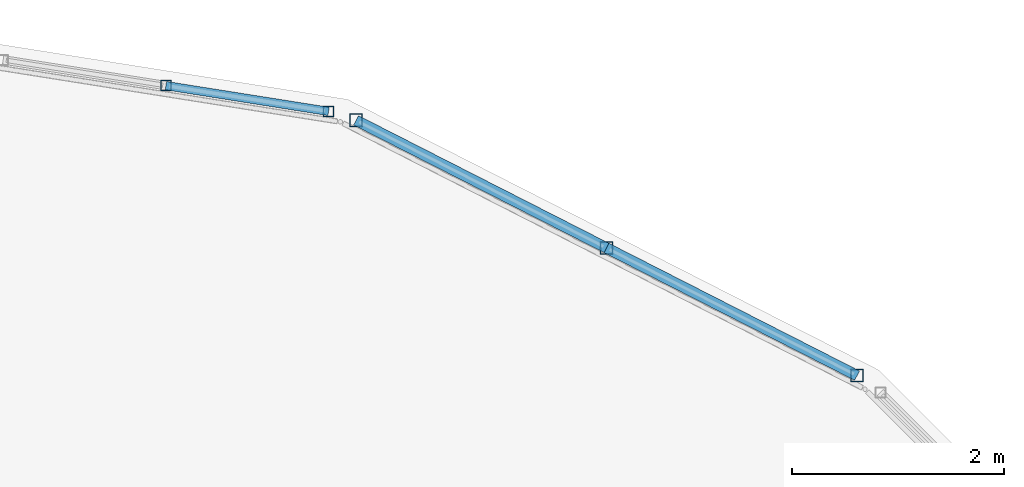
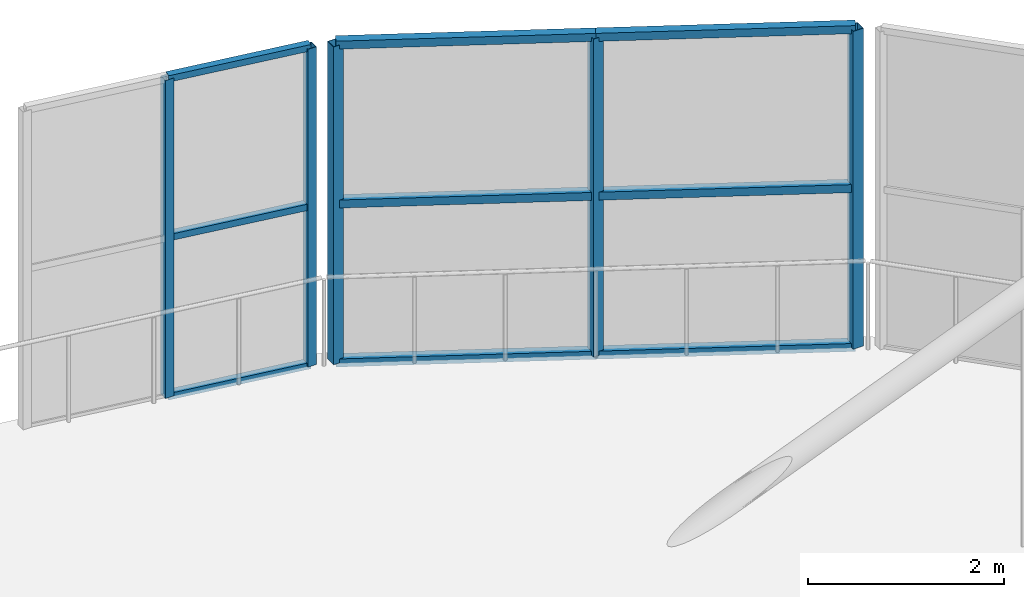
# One storey, part 109 of 151: 14 members, 2 elements without a shape of their own.
"""IFC4 building model written with IfcOpenShell, lengths in metres."""

from ifc_helpers import new_model, si_unit, direction, frame, origin, origin_2d, place, context, subcontext, project, spatial, hollow_rectangle, extrude, material, material_profile, profile_set, type_object, element, aggregate, save


model = new_model("IFC4")

# Units and contexts
model_context = context("Model", 3, precision=1e-05, world=origin(), true_north=direction((0.0, 1.0)))
body_context = subcontext(model_context, "Body", "Model", "MODEL_VIEW")
ifc_project = project(units=[si_unit("LENGTHUNIT", "METRE"), si_unit("AREAUNIT", "SQUARE_METRE"), si_unit("VOLUMEUNIT", "CUBIC_METRE"), si_unit("PLANEANGLEUNIT", "RADIAN"), si_unit("MASSUNIT", "GRAM", prefix="KILO")], contexts=[model_context])

# Site, building, storey
site_placement = place(None, origin())
site = spatial("IfcSite", under=ifc_project, at=site_placement, CompositionType="ELEMENT")
building_placement = place(site_placement, origin())
building = spatial("IfcBuilding", under=site, at=building_placement, Name="Zuvorla Pavilion Media Centre", CompositionType="ELEMENT")
storey_placement = place(building_placement, frame((0.0, 0.0, 13.800048828125)))
storey = spatial("IfcBuildingStorey", under=building, at=storey_placement, Name="L03", CompositionType="ELEMENT", Elevation=13.800048828125)

# Curtain wall, members
ifc_material_1 = material(Name="Unitised anodised aluminium and solar glass curtain wall", Category="aluminium")
curtain_wall_type_1 = type_object("IfcCurtainWallType", Name="CW-SYS-60", PredefinedType="USERDEFINED", material=ifc_material_1)
curtain_wall_1_placement = place(storey_placement, origin())
curtain_wall_1 = element("IfcCurtainWall", 1, at=curtain_wall_1_placement, inside=storey, type_object=curtain_wall_type_1, Name="L03 curtain wall CW60 105", ObjectType="CURTAIN WALL", PredefinedType="USERDEFINED")
ifc_material_2 = material(Name="Anodised aluminium 6063-T6", Category="aluminium")
ifc_material_profile_1 = material_profile(ifc_material_2, hollow_rectangle(XDim=0.10009765625, YDim=0.10009765625, WallThickness=0.00439453125, at=origin_2d()), Name="ALU MULL 100x100")
ifc_profile_set_1 = profile_set([ifc_material_profile_1], Name="Anodised aluminium 6063-T6")
member_type_1 = type_object("IfcMemberType", Name="CW-MULL-100", PredefinedType="MULLION", material=ifc_profile_set_1)
member_1_placement = place(storey_placement, frame((162.782470703125, 88.605712890625, 0.0), z_axis=(0.0, 0.0, 1.0), x_axis=(1.0, 0.0, 0.0)))
member_1 = element("IfcMember", 2, at=member_1_placement, type_object=member_type_1, Name="CW60 mullion 1", PredefinedType="MULLION", context=body_context, shape_type="SweptSolid", body=[
    extrude(hollow_rectangle(XDim=0.10009765625, YDim=0.10009765625, WallThickness=0.00439453125, at=origin_2d()), origin(), (0.0, 0.0, 1.0), 3.9599609375),
])
member_2_placement = place(storey_placement, frame((161.24560546875, 88.84912109375, 0.0), z_axis=(0.0, 0.0, 1.0), x_axis=(1.0, 0.0, 0.0)))
member_2 = element("IfcMember", 3, at=member_2_placement, type_object=member_type_1, Name="CW60 mullion 2", PredefinedType="MULLION", context=body_context, shape_type="SweptSolid", body=[
    extrude(hollow_rectangle(XDim=0.10009765625, YDim=0.10009765625, WallThickness=0.00439453125, at=origin_2d()), origin(), (0.0, 0.0, 1.0), 3.9599609375),
])

curtain_wall_type_2 = type_object("IfcCurtainWallType", Name="CW-SYS-02", PredefinedType="USERDEFINED", material=ifc_material_1)
curtain_wall_2_placement = place(storey_placement, origin())
curtain_wall_2 = element("IfcCurtainWall", 4, at=curtain_wall_2_placement, inside=storey, type_object=curtain_wall_type_2, Name="L03 curtain wall CW02 104", ObjectType="CURTAIN WALL", PredefinedType="USERDEFINED")
ifc_material_profile_2 = material_profile(ifc_material_2, hollow_rectangle(XDim=0.1201171875, YDim=0.1201171875, WallThickness=0.0048828125, at=origin_2d()), Name="ALU MULL 120x120")
ifc_profile_set_2 = profile_set([ifc_material_profile_2], Name="Anodised aluminium 6063-T6")
member_type_2 = type_object("IfcMemberType", Name="CW-MULL-120", PredefinedType="MULLION", material=ifc_profile_set_2)
member_3_placement = place(storey_placement, frame((167.77392578125, 86.110107421875, 0.0), z_axis=(0.0, 0.0, 1.0), x_axis=(1.0, 0.0, 0.0)))
member_3 = element("IfcMember", 5, at=member_3_placement, type_object=member_type_2, Name="CW02 mullion 1", PredefinedType="MULLION", context=body_context, shape_type="SweptSolid", body=[
    extrude(hollow_rectangle(XDim=0.1201171875, YDim=0.1201171875, WallThickness=0.0048828125, at=origin_2d()), origin(), (0.0, 0.0, 1.0), 3.9599609375),
])
member_4_placement = place(storey_placement, frame((165.40771484375, 87.31591796875, 0.0), z_axis=(0.0, 0.0, 1.0), x_axis=(1.0, 0.0, 0.0)))
member_4 = element("IfcMember", 6, at=member_4_placement, type_object=member_type_2, Name="CW02 mullion 2", PredefinedType="MULLION", context=body_context, shape_type="SweptSolid", body=[
    extrude(hollow_rectangle(XDim=0.1201171875, YDim=0.1201171875, WallThickness=0.0048828125, at=origin_2d()), origin(), (0.0, 0.0, 1.0), 3.9599609375),
])
member_5_placement = place(storey_placement, frame((163.041259765625, 88.521484375, 0.0), z_axis=(0.0, 0.0, 1.0), x_axis=(1.0, 0.0, 0.0)))
member_5 = element("IfcMember", 7, at=member_5_placement, type_object=member_type_2, Name="CW02 mullion 3", PredefinedType="MULLION", context=body_context, shape_type="SweptSolid", body=[
    extrude(hollow_rectangle(XDim=0.1201171875, YDim=0.1201171875, WallThickness=0.0048828125, at=origin_2d()), origin(), (0.0, 0.0, 1.0), 3.9599609375),
])
ifc_material_profile_3 = material_profile(ifc_material_2, hollow_rectangle(XDim=0.10009765625, YDim=0.10009765625, WallThickness=0.00439453125, at=origin_2d()), Name="ALU TRAN 100x100")
ifc_profile_set_3 = profile_set([ifc_material_profile_3], Name="Anodised aluminium 6063-T6")
member_type_3 = type_object("IfcMemberType", Name="CW-TRAN-100", PredefinedType="USERDEFINED", material=ifc_profile_set_3)
member_6_placement = place(storey_placement, frame((167.77392578125, 86.110107421875, 0.0), z_axis=(-0.890981260547, 0.454040079018, 0.0), x_axis=(-0.454040079018, -0.890981260547, 0.0)))
member_6 = element("IfcMember", 8, at=member_6_placement, type_object=member_type_3, Name="CW02 transom 1.1", ObjectType="TRANSOM", PredefinedType="USERDEFINED", context=body_context, shape_type="SweptSolid", body=[
    extrude(hollow_rectangle(XDim=0.10009765625, YDim=0.10009765625, WallThickness=0.00439453125, at=origin_2d()), origin(), (0.0, 0.0, 1.0), 2.65576171875),
])
member_7_placement = place(storey_placement, frame((167.77392578125, 86.110107421875, 1.97998046875), z_axis=(-0.890981260547, 0.454040079018, 0.0), x_axis=(-0.454040079018, -0.890981260547, 0.0)))
member_7 = element("IfcMember", 9, at=member_7_placement, type_object=member_type_3, Name="CW02 transom 1.2", ObjectType="TRANSOM", PredefinedType="USERDEFINED", context=body_context, shape_type="SweptSolid", body=[
    extrude(hollow_rectangle(XDim=0.10009765625, YDim=0.10009765625, WallThickness=0.00439453125, at=origin_2d()), origin(), (0.0, 0.0, 1.0), 2.65576171875),
])
member_8_placement = place(storey_placement, frame((167.77392578125, 86.110107421875, 3.9599609375), z_axis=(-0.890981260547, 0.454040079018, 0.0), x_axis=(-0.454040079018, -0.890981260547, 0.0)))
member_8 = element("IfcMember", 10, at=member_8_placement, type_object=member_type_3, Name="CW02 transom 1.3", ObjectType="TRANSOM", PredefinedType="USERDEFINED", context=body_context, shape_type="SweptSolid", body=[
    extrude(hollow_rectangle(XDim=0.10009765625, YDim=0.10009765625, WallThickness=0.00439453125, at=origin_2d()), origin(), (0.0, 0.0, 1.0), 2.65576171875),
])
member_9_placement = place(storey_placement, frame((165.40771484375, 87.31591796875, 0.0), z_axis=(-0.891037392272, 0.453929912622, 0.0), x_axis=(-0.453929912622, -0.891037392272, 0.0)))
member_9 = element("IfcMember", 11, at=member_9_placement, type_object=member_type_3, Name="CW02 transom 2.1", ObjectType="TRANSOM", PredefinedType="USERDEFINED", context=body_context, shape_type="SweptSolid", body=[
    extrude(hollow_rectangle(XDim=0.10009765625, YDim=0.10009765625, WallThickness=0.00439453125, at=origin_2d()), origin(), (0.0, 0.0, 1.0), 2.65576171875),
])
member_10_placement = place(storey_placement, frame((165.40771484375, 87.31591796875, 1.97998046875), z_axis=(-0.891037392272, 0.453929912622, 0.0), x_axis=(-0.453929912622, -0.891037392272, 0.0)))
member_10 = element("IfcMember", 12, at=member_10_placement, type_object=member_type_3, Name="CW02 transom 2.2", ObjectType="TRANSOM", PredefinedType="USERDEFINED", context=body_context, shape_type="SweptSolid", body=[
    extrude(hollow_rectangle(XDim=0.10009765625, YDim=0.10009765625, WallThickness=0.00439453125, at=origin_2d()), origin(), (0.0, 0.0, 1.0), 2.65576171875),
])
member_11_placement = place(storey_placement, frame((165.40771484375, 87.31591796875, 3.9599609375), z_axis=(-0.891037392272, 0.453929912622, 0.0), x_axis=(-0.453929912622, -0.891037392272, 0.0)))
member_11 = element("IfcMember", 13, at=member_11_placement, type_object=member_type_3, Name="CW02 transom 2.3", ObjectType="TRANSOM", PredefinedType="USERDEFINED", context=body_context, shape_type="SweptSolid", body=[
    extrude(hollow_rectangle(XDim=0.10009765625, YDim=0.10009765625, WallThickness=0.00439453125, at=origin_2d()), origin(), (0.0, 0.0, 1.0), 2.65576171875),
])
aggregate(curtain_wall_2, [member_3, member_4, member_5, member_6, member_7, member_8, member_9, member_10, member_11])

# Member
ifc_material_profile_4 = material_profile(ifc_material_2, hollow_rectangle(XDim=0.080078125, YDim=0.080078125, WallThickness=0.00390625, at=origin_2d()), Name="ALU TRAN 80x80")
ifc_profile_set_4 = profile_set([ifc_material_profile_4], Name="Anodised aluminium 6063-T6")
member_type_4 = type_object("IfcMemberType", Name="CW-TRAN-80", PredefinedType="USERDEFINED", material=ifc_profile_set_4)
member_12_placement = place(storey_placement, frame((162.782470703125, 88.605712890625, 0.0), z_axis=(-0.987689069115, 0.156429865275, 0.0), x_axis=(-0.156429865275, -0.987689069115, 0.0)))
member_12 = element("IfcMember", 14, at=member_12_placement, type_object=member_type_4, Name="CW60 transom 1.1", ObjectType="TRANSOM", PredefinedType="USERDEFINED", context=body_context, shape_type="SweptSolid", body=[
    extrude(hollow_rectangle(XDim=0.080078125, YDim=0.080078125, WallThickness=0.00390625, at=origin_2d()), origin(), (0.0, 0.0, 1.0), 1.555908203125),
])

member_13_placement = place(storey_placement, frame((162.782470703125, 88.605712890625, 1.97998046875), z_axis=(-0.987689069115, 0.156429865275, 0.0), x_axis=(-0.156429865275, -0.987689069115, 0.0)))
member_13 = element("IfcMember", 15, at=member_13_placement, type_object=member_type_4, Name="CW60 transom 1.2", ObjectType="TRANSOM", PredefinedType="USERDEFINED", context=body_context, shape_type="SweptSolid", body=[
    extrude(hollow_rectangle(XDim=0.080078125, YDim=0.080078125, WallThickness=0.00390625, at=origin_2d()), origin(), (0.0, 0.0, 1.0), 1.555908203125),
])

member_14_placement = place(storey_placement, frame((162.782470703125, 88.605712890625, 3.9599609375), z_axis=(-0.987689069115, 0.156429865275, 0.0), x_axis=(-0.156429865275, -0.987689069115, 0.0)))
member_14 = element("IfcMember", 16, at=member_14_placement, type_object=member_type_4, Name="CW60 transom 1.3", ObjectType="TRANSOM", PredefinedType="USERDEFINED", context=body_context, shape_type="SweptSolid", body=[
    extrude(hollow_rectangle(XDim=0.080078125, YDim=0.080078125, WallThickness=0.00390625, at=origin_2d()), origin(), (0.0, 0.0, 1.0), 1.555908203125),
])

aggregate(curtain_wall_1, [member_1, member_2, member_12, member_13, member_14])

save(model, "model.ifc")
